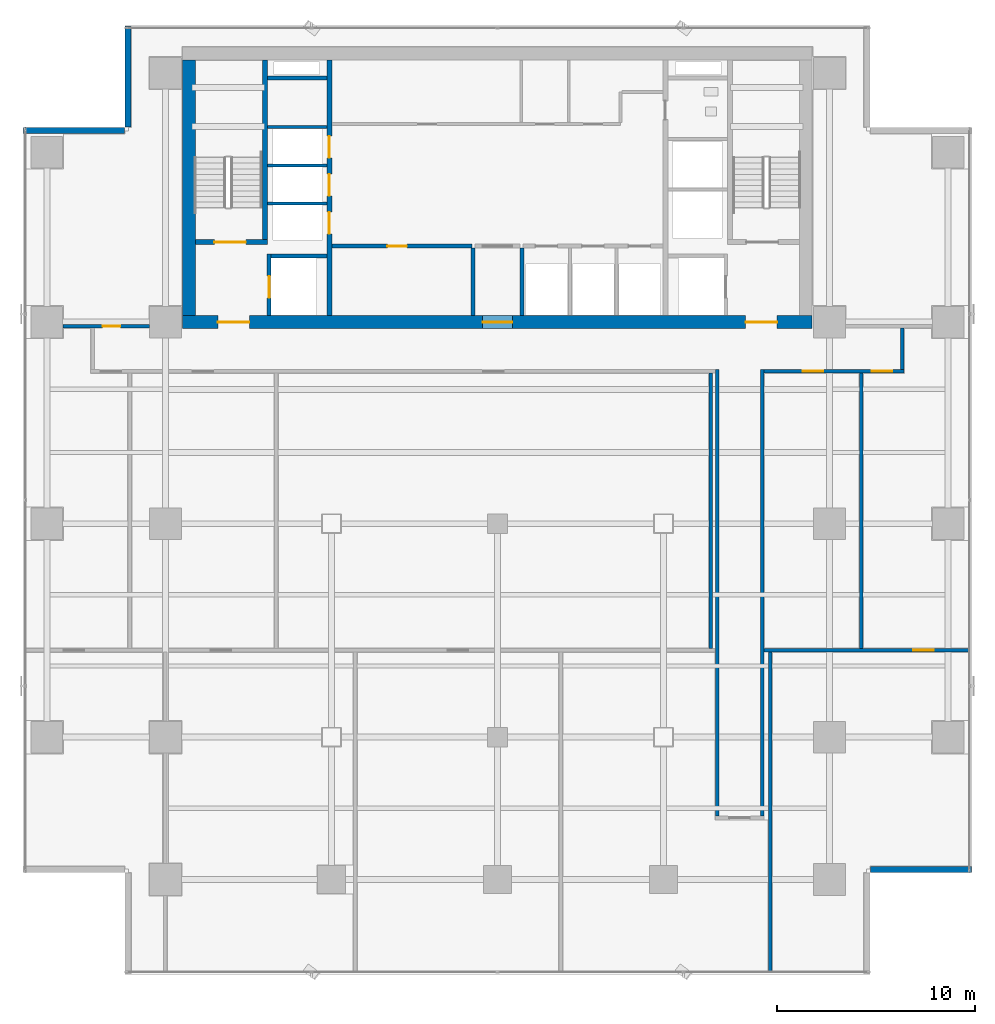
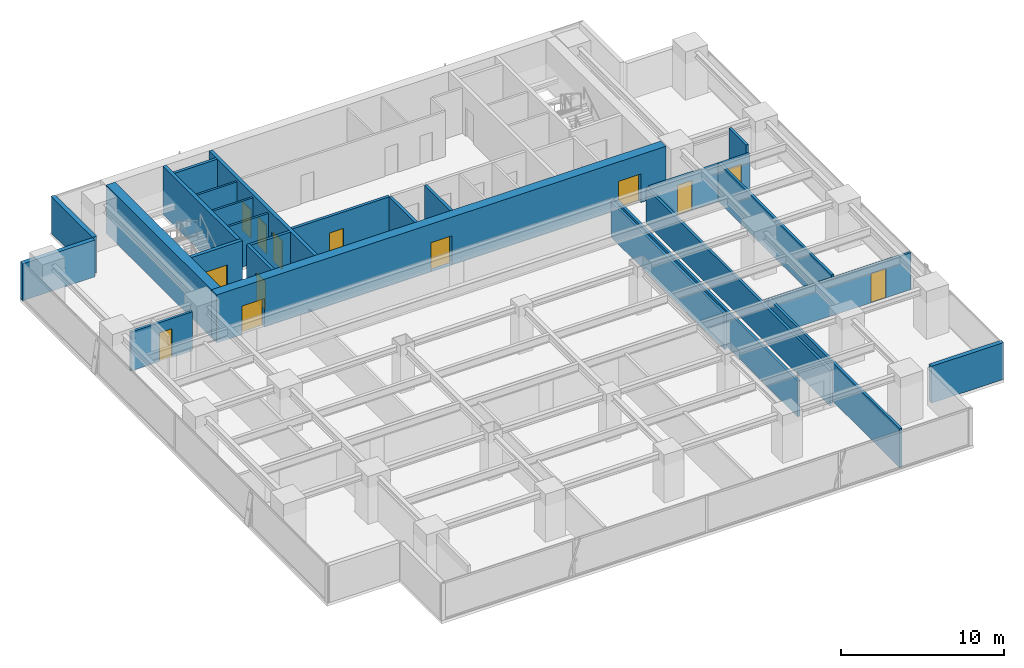
# One storey, part 21 of 28: 26 walls, 13 doors, 13 openings.
"""IFC4 building model written with IfcOpenShell, lengths in metres."""

from ifc_helpers import new_model, si_unit, direction, frame, frame_2d, origin, place, context, subcontext, project, spatial, rectangle, extrude, source, transform, mapped, material, layer, layer_set, type_object, element, fill, save


model = new_model("IFC4")

# Units and contexts
model_context = context("Model", 3, precision=1e-05, world=origin(), true_north=direction((0.0, 1.0)))
body_context = subcontext(model_context, "Body", "Model", "MODEL_VIEW")
ifc_project = project(units=[si_unit("LENGTHUNIT", "METRE"), si_unit("AREAUNIT", "SQUARE_METRE"), si_unit("VOLUMEUNIT", "CUBIC_METRE"), si_unit("PLANEANGLEUNIT", "RADIAN"), si_unit("MASSUNIT", "GRAM", prefix="KILO")], contexts=[model_context])

# Site, building, storey
site_placement = place(None, origin())
site = spatial("IfcSite", under=ifc_project, at=site_placement, CompositionType="ELEMENT")
building_placement = place(site_placement, origin())
building = spatial("IfcBuilding", under=site, at=building_placement, Name="Sumidabori Civic Tower", CompositionType="ELEMENT")
storey_placement = place(building_placement, frame((0.0, 0.0, 174.800048828125)))
storey = spatial("IfcBuildingStorey", under=building, at=storey_placement, Name="L45", CompositionType="ELEMENT", Elevation=174.800048828125)

# Walls
ifc_material_1 = material(Name="Concrete C50/60", Category="concrete")
ifc_layer_1 = layer(ifc_material_1, 0.199951171875, Name="Concrete C50/60")
ifc_layer_set_1 = layer_set([ifc_layer_1], Name="Concrete C50/60")
wall_type_1 = type_object("IfcWallType", Name="WL-SHAFT-200", PredefinedType="SHEAR", material=ifc_layer_set_1)
shared_shape_1 = source(origin(), body_context, "Body", "SweptSolid", [
    extrude(rectangle(XDim=2.824951171875, YDim=0.199951171875, at=frame_2d((1.41259765625, 0.0))), origin(), (0.0, 0.0, 1.0), 3.599853515625),
])
wall_1_placement = place(storey_placement, frame((-11.449951171875, 13.550048828125, 0.0), z_axis=(0.0, 0.0, 1.0), x_axis=(1.0, 0.0, 0.0)))
element("IfcWall", 1, at=wall_1_placement, inside=storey, type_object=wall_type_1, Name="Core Shear Wall L45 EL1-N", PredefinedType="SHEAR", context=body_context, shape_type="MappedRepresentation", body=[
    mapped(shared_shape_1, transform((0.0, 0.0, 0.0), x_axis=(1.0, 0.0, 0.0), y_axis=(0.0, 1.0, 0.0), z_axis=(0.0, 0.0, 1.0), scale=1.0)),
])
shared_shape_2 = source(origin(), body_context, "Body", "SweptSolid", [
    extrude(rectangle(XDim=3.02001953125, YDim=0.199951171875, at=frame_2d((1.510009765625, 0.0))), origin(), (0.0, 0.0, 1.0), 3.599853515625),
])
wall_2_placement = place(storey_placement, frame((-11.64501953125, 22.550048828125, 0.0), z_axis=(0.0, 0.0, 1.0), x_axis=(1.0, 0.0, 0.0)))
element("IfcWall", 2, at=wall_2_placement, inside=storey, type_object=wall_type_1, Name="Core Shear Wall L45 RIS1-S", PredefinedType="SHEAR", context=body_context, shape_type="MappedRepresentation", body=[
    mapped(shared_shape_2, transform((0.0, 0.0, 0.0), x_axis=(1.0, 0.0, 0.0), y_axis=(0.0, 1.0, 0.0), z_axis=(0.0, 0.0, 1.0), scale=1.0)),
])

# Wall, openings, doors
ifc_material_2 = material(Name="Concrete C60/75", Category="concrete")
ifc_layer_2 = layer(ifc_material_2, 0.64990234375, Name="Concrete C60/75")
ifc_layer_set_2 = layer_set([ifc_layer_2], Name="Concrete C60/75")
wall_type_2 = type_object("IfcWallType", Name="WL-CORE-650", PredefinedType="SHEAR", material=ifc_layer_set_2)
shared_shape_3 = source(origin(), body_context, "Body", "SweptSolid", [
    extrude(rectangle(XDim=31.85009765625, YDim=0.64990234375, at=frame_2d((15.925048828125, 0.0))), origin(), (0.0, 0.0, 1.0), 3.599853515625),
])
wall_3_placement = place(storey_placement, frame((-15.925048828125, 10.199951171875, 0.0), z_axis=(0.0, 0.0, 1.0), x_axis=(1.0, 0.0, 0.0)))
wall_3 = element("IfcWall", 3, at=wall_3_placement, inside=storey, type_object=wall_type_2, Name="Core Shear Wall L45 S", PredefinedType="SHEAR", context=body_context, shape_type="MappedRepresentation", body=[
    mapped(shared_shape_3, transform((0.0, 0.0, 0.0), x_axis=(1.0, 0.0, 0.0), y_axis=(0.0, 1.0, 0.0), z_axis=(0.0, 0.0, 1.0), scale=1.0)),
])
opening_1_placement = place(wall_3_placement, frame((1.77490234375, 0.0, 0.0)))
opening_1 = element("IfcOpeningElement", 4, at=opening_1_placement, cuts=wall_3, Name="Opening DR-FD4", PredefinedType="OPENING", context=body_context, shape_type="SweptSolid", body=[
    extrude(rectangle(XDim=1.60009765625, YDim=2.14990234375, at=frame_2d((0.800048828125, 1.074951171875))), frame((0.0, 0.3369140625, 0.0), z_axis=(0.0, -1.0, 0.0), x_axis=(1.0, 0.0, 0.0)), (0.0, 0.0, 1.0), 0.673828125),
])
opening_2_placement = place(wall_3_placement, frame((28.47509765625, 0.0, 0.0)))
opening_2 = element("IfcOpeningElement", 5, at=opening_2_placement, cuts=wall_3, Name="Opening DR-FD4", PredefinedType="OPENING", context=body_context, shape_type="SweptSolid", body=[
    extrude(rectangle(XDim=1.60009765625, YDim=2.14990234375, at=frame_2d((0.800048828125, 1.074951171875))), frame((0.0, 0.3369140625, 0.0), z_axis=(0.0, -1.0, 0.0), x_axis=(1.0, 0.0, 0.0)), (0.0, 0.0, 1.0), 0.673828125),
])
opening_3_placement = place(wall_3_placement, frame((15.175048828125, 0.0, 0.0)))
opening_3 = element("IfcOpeningElement", 6, at=opening_3_placement, cuts=wall_3, Name="Opening DR-FD3", PredefinedType="OPENING", context=body_context, shape_type="SweptSolid", body=[
    extrude(rectangle(XDim=1.5, YDim=2.199951171875, at=frame_2d((0.75, 1.10009765625))), frame((0.0, 0.3369140625, 0.0), z_axis=(0.0, -1.0, 0.0), x_axis=(1.0, 0.0, 0.0)), (0.0, 0.0, 1.0), 0.673828125),
])
ifc_material_3 = material(Name="Steel SN490", Category="steel")
door_type_1 = type_object("IfcDoorType", Name="DR-FD4", OperationType="DOUBLE_DOOR_SINGLE_SWING", PredefinedType="DOOR", material=ifc_material_3)
shared_shape_4 = source(origin(), body_context, "Body", "SweptSolid", [
    extrude(rectangle(XDim=1.60009765625, YDim=2.14990234375, at=frame_2d((0.800048828125, 1.074951171875))), frame((0.0, 0.02490234375, 0.0), z_axis=(0.0, -1.0, 0.0), x_axis=(1.0, 0.0, 0.0)), (0.0, 0.0, 1.0), 0.050048828125),
])
door_1_placement = place(opening_1_placement, origin())
door_1 = element("IfcDoor", 7, at=door_1_placement, inside=storey, type_object=door_type_1, Name="Door DR:L45:ELOB-W", OperationType="DOUBLE_DOOR_SINGLE_SWING", OverallHeight=2.14990234375, OverallWidth=1.60009765625, PredefinedType="DOOR", context=body_context, shape_type="MappedRepresentation", body=[
    mapped(shared_shape_4, transform((0.0, 0.0, 0.0), x_axis=(1.0, 0.0, 0.0), y_axis=(0.0, 1.0, 0.0), z_axis=(0.0, 0.0, 1.0), scale=1.0)),
])
fill(opening_1, door_1)
door_2_placement = place(opening_2_placement, origin())
door_2 = element("IfcDoor", 8, at=door_2_placement, inside=storey, type_object=door_type_1, Name="Door DR:L45:ELOB-E", OperationType="DOUBLE_DOOR_SINGLE_SWING", OverallHeight=2.14990234375, OverallWidth=1.60009765625, PredefinedType="DOOR", context=body_context, shape_type="MappedRepresentation", body=[
    mapped(shared_shape_4, transform((0.0, 0.0, 0.0), x_axis=(1.0, 0.0, 0.0), y_axis=(0.0, 1.0, 0.0), z_axis=(0.0, 0.0, 1.0), scale=1.0)),
])
fill(opening_2, door_2)
door_type_2 = type_object("IfcDoorType", Name="DR-FD-DBL", OperationType="DOUBLE_DOOR_SINGLE_SWING", PredefinedType="DOOR", material=ifc_material_3)
shared_shape_5 = source(origin(), body_context, "Body", "SweptSolid", [
    extrude(rectangle(XDim=1.5, YDim=2.199951171875, at=frame_2d((0.75, 1.10009765625))), frame((0.0, 0.02490234375, 0.0), z_axis=(0.0, -1.0, 0.0), x_axis=(1.0, 0.0, 0.0)), (0.0, 0.0, 1.0), 0.050048828125),
])
door_3_placement = place(opening_3_placement, origin())
door_3 = element("IfcDoor", 9, at=door_3_placement, inside=storey, type_object=door_type_2, Name="Door DR:L45:THROAT-OUT", OperationType="DOUBLE_DOOR_SINGLE_SWING", OverallHeight=2.199951171875, OverallWidth=1.5, PredefinedType="DOOR", context=body_context, shape_type="MappedRepresentation", body=[
    mapped(shared_shape_5, transform((0.0, 0.0, 0.0), x_axis=(1.0, 0.0, 0.0), y_axis=(0.0, 1.0, 0.0), z_axis=(0.0, 0.0, 1.0), scale=1.0)),
])
fill(opening_3, door_3)

# Wall
shared_shape_6 = source(origin(), body_context, "Body", "SweptSolid", [
    extrude(rectangle(XDim=12.9501953125, YDim=0.64990234375, at=frame_2d((6.47509765625, 0.0))), origin(), (0.0, 0.0, 1.0), 3.599853515625),
])
wall_4_placement = place(storey_placement, frame((-15.60009765625, 10.52490234375, 0.0), z_axis=(0.0, 0.0, 1.0), x_axis=(0.0, 1.0, 0.0)))
element("IfcWall", 10, at=wall_4_placement, inside=storey, type_object=wall_type_2, Name="Core Shear Wall L45 W", PredefinedType="SHEAR", context=body_context, shape_type="MappedRepresentation", body=[
    mapped(shared_shape_6, transform((0.0, 0.0, 0.0), x_axis=(1.0, 0.0, 0.0), y_axis=(0.0, 1.0, 0.0), z_axis=(0.0, 0.0, 1.0), scale=1.0)),
])

# Wall, openings, doors
ifc_layer_3 = layer(ifc_material_1, 0.25, Name="Concrete C50/60")
ifc_layer_set_3 = layer_set([ifc_layer_3], Name="Concrete C50/60")
wall_type_3 = type_object("IfcWallType", Name="WL-SHAFT-250", PredefinedType="SHEAR", material=ifc_layer_set_3)
shared_shape_7 = source(origin(), body_context, "Body", "SweptSolid", [
    extrude(rectangle(XDim=12.9501953125, YDim=0.25, at=frame_2d((6.47509765625, 0.0))), origin(), (0.0, 0.0, 1.0), 3.599853515625),
])
wall_5_placement = place(storey_placement, frame((-8.5, 10.52490234375, 0.0), z_axis=(0.0, 0.0, 1.0), x_axis=(0.0, 1.0, 0.0)))
wall_5 = element("IfcWall", 11, at=wall_5_placement, inside=storey, type_object=wall_type_3, Name="Core Shear Wall L45 WEB-W", PredefinedType="SHEAR", context=body_context, shape_type="MappedRepresentation", body=[
    mapped(shared_shape_7, transform((0.0, 0.0, 0.0), x_axis=(1.0, 0.0, 0.0), y_axis=(0.0, 1.0, 0.0), z_axis=(0.0, 0.0, 1.0), scale=1.0)),
])
opening_4_placement = place(wall_5_placement, frame((4.14501953125, 0.0, 0.0)))
opening_4 = element("IfcOpeningElement", 12, at=opening_4_placement, cuts=wall_5, Name="Opening LD-1", PredefinedType="OPENING", context=body_context, shape_type="SweptSolid", body=[
    extrude(rectangle(XDim=1.10009765625, YDim=2.14990234375, at=frame_2d((0.550048828125, 1.074951171875))), frame((0.0, 0.136962890625, 0.0), z_axis=(0.0, -1.0, 0.0), x_axis=(1.0, 0.0, 0.0)), (0.0, 0.0, 1.0), 0.27392578125),
])
opening_5_placement = place(wall_5_placement, frame((6.06494140625, 0.0, 0.0)))
opening_5 = element("IfcOpeningElement", 13, at=opening_5_placement, cuts=wall_5, Name="Opening LD-1", PredefinedType="OPENING", context=body_context, shape_type="SweptSolid", body=[
    extrude(rectangle(XDim=1.10009765625, YDim=2.14990234375, at=frame_2d((0.550048828125, 1.074951171875))), frame((0.0, 0.136962890625, 0.0), z_axis=(0.0, -1.0, 0.0), x_axis=(1.0, 0.0, 0.0)), (0.0, 0.0, 1.0), 0.27392578125),
])
opening_6_placement = place(wall_5_placement, frame((7.985107421875, 0.0, 0.0)))
opening_6 = element("IfcOpeningElement", 14, at=opening_6_placement, cuts=wall_5, Name="Opening LD-1", PredefinedType="OPENING", context=body_context, shape_type="SweptSolid", body=[
    extrude(rectangle(XDim=1.10009765625, YDim=2.14990234375, at=frame_2d((0.550048828125, 1.074951171875))), frame((0.0, 0.136962890625, 0.0), z_axis=(0.0, -1.0, 0.0), x_axis=(1.0, 0.0, 0.0)), (0.0, 0.0, 1.0), 0.27392578125),
])
ifc_material_4 = material(Name="Stainless Steel Hairline Finish", Category="steel")
door_type_3 = type_object("IfcDoorType", Name="DR-LD1", OperationType="DOUBLE_DOOR_SLIDING", PredefinedType="DOOR", material=ifc_material_4)
shared_shape_8 = source(origin(), body_context, "Body", "SweptSolid", [
    extrude(rectangle(XDim=1.10009765625, YDim=2.14990234375, at=frame_2d((0.550048828125, 1.074951171875))), frame((0.0, 0.02490234375, 0.0), z_axis=(0.0, -1.0, 0.0), x_axis=(1.0, 0.0, 0.0)), (0.0, 0.0, 1.0), 0.050048828125),
])
door_4_placement = place(opening_4_placement, origin())
door_4 = element("IfcDoor", 15, at=door_4_placement, inside=storey, type_object=door_type_3, Name="Door DR:L45:LD-PLH1", OperationType="DOUBLE_DOOR_SLIDING", OverallHeight=2.14990234375, OverallWidth=1.10009765625, PredefinedType="DOOR", context=body_context, shape_type="MappedRepresentation", body=[
    mapped(shared_shape_8, transform((0.0, 0.0, 0.0), x_axis=(1.0, 0.0, 0.0), y_axis=(0.0, 1.0, 0.0), z_axis=(0.0, 0.0, 1.0), scale=1.0)),
])
fill(opening_4, door_4)
door_5_placement = place(opening_5_placement, origin())
door_5 = element("IfcDoor", 16, at=door_5_placement, inside=storey, type_object=door_type_3, Name="Door DR:L45:LD-PLH2", OperationType="DOUBLE_DOOR_SLIDING", OverallHeight=2.14990234375, OverallWidth=1.10009765625, PredefinedType="DOOR", context=body_context, shape_type="MappedRepresentation", body=[
    mapped(shared_shape_8, transform((0.0, 0.0, 0.0), x_axis=(1.0, 0.0, 0.0), y_axis=(0.0, 1.0, 0.0), z_axis=(0.0, 0.0, 1.0), scale=1.0)),
])
fill(opening_5, door_5)
door_6_placement = place(opening_6_placement, origin())
door_6 = element("IfcDoor", 17, at=door_6_placement, inside=storey, type_object=door_type_3, Name="Door DR:L45:LD-PLH3", OperationType="DOUBLE_DOOR_SLIDING", OverallHeight=2.14990234375, OverallWidth=1.10009765625, PredefinedType="DOOR", context=body_context, shape_type="MappedRepresentation", body=[
    mapped(shared_shape_8, transform((0.0, 0.0, 0.0), x_axis=(1.0, 0.0, 0.0), y_axis=(0.0, 1.0, 0.0), z_axis=(0.0, 0.0, 1.0), scale=1.0)),
])
fill(opening_6, door_6)

# Wall, opening, door
shared_shape_9 = source(origin(), body_context, "Body", "SweptSolid", [
    extrude(rectangle(XDim=3.6298828125, YDim=0.25, at=frame_2d((1.81494140625, 0.0))), origin(), (0.0, 0.0, 1.0), 3.599853515625),
])
wall_6_placement = place(storey_placement, frame((-15.27490234375, 14.25, 0.0), z_axis=(0.0, 0.0, 1.0), x_axis=(1.0, 0.0, 0.0)))
wall_6 = element("IfcWall", 18, at=wall_6_placement, inside=storey, type_object=wall_type_3, Name="Core Shear Wall L45 ST1-S", PredefinedType="SHEAR", context=body_context, shape_type="MappedRepresentation", body=[
    mapped(shared_shape_9, transform((0.0, 0.0, 0.0), x_axis=(1.0, 0.0, 0.0), y_axis=(0.0, 1.0, 0.0), z_axis=(0.0, 0.0, 1.0), scale=1.0)),
])
opening_7_placement = place(wall_6_placement, frame((0.949951171875, 0.0, 0.0)))
opening_7 = element("IfcOpeningElement", 19, at=opening_7_placement, cuts=wall_6, Name="Opening DR-FD4", PredefinedType="OPENING", context=body_context, shape_type="SweptSolid", body=[
    extrude(rectangle(XDim=1.60009765625, YDim=2.14990234375, at=frame_2d((0.800048828125, 1.074951171875))), frame((0.0, 0.136962890625, 0.0), z_axis=(0.0, -1.0, 0.0), x_axis=(1.0, 0.0, 0.0)), (0.0, 0.0, 1.0), 0.27392578125),
])
door_7_placement = place(opening_7_placement, origin())
door_7 = element("IfcDoor", 20, at=door_7_placement, inside=storey, type_object=door_type_1, Name="Door DR:L45:ST1", OperationType="DOUBLE_DOOR_SINGLE_SWING", OverallHeight=2.14990234375, OverallWidth=1.60009765625, PredefinedType="DOOR", context=body_context, shape_type="MappedRepresentation", body=[
    mapped(shared_shape_4, transform((0.0, 0.0, 0.0), x_axis=(1.0, 0.0, 0.0), y_axis=(0.0, 1.0, 0.0), z_axis=(0.0, 0.0, 1.0), scale=1.0)),
])
fill(opening_7, door_7)

# Wall
shared_shape_10 = source(origin(), body_context, "Body", "SweptSolid", [
    extrude(rectangle(XDim=9.10009765625, YDim=0.25, at=frame_2d((4.550048828125, 0.0))), origin(), (0.0, 0.0, 1.0), 3.599853515625),
])
wall_7_placement = place(storey_placement, frame((-11.77001953125, 14.375, 0.0), z_axis=(0.0, 0.0, 1.0), x_axis=(0.0, 1.0, 0.0)))
element("IfcWall", 21, at=wall_7_placement, inside=storey, type_object=wall_type_3, Name="Core Shear Wall L45 ST1-E", PredefinedType="SHEAR", context=body_context, shape_type="MappedRepresentation", body=[
    mapped(shared_shape_10, transform((0.0, 0.0, 0.0), x_axis=(1.0, 0.0, 0.0), y_axis=(0.0, 1.0, 0.0), z_axis=(0.0, 0.0, 1.0), scale=1.0)),
])

# Wall, opening, door
shared_shape_11 = source(origin(), body_context, "Body", "SweptSolid", [
    extrude(rectangle(XDim=3.125, YDim=0.199951171875, at=frame_2d((1.5625, 0.0))), origin(), (0.0, 0.0, 1.0), 3.599853515625),
])
wall_8_placement = place(storey_placement, frame((-11.550048828125, 10.52490234375, 0.0), z_axis=(0.0, 0.0, 1.0), x_axis=(0.0, 1.0, 0.0)))
wall_8 = element("IfcWall", 22, at=wall_8_placement, inside=storey, type_object=wall_type_1, Name="Core Shear Wall L45 EL1-W", PredefinedType="SHEAR", context=body_context, shape_type="MappedRepresentation", body=[
    mapped(shared_shape_11, transform((0.0, 0.0, 0.0), x_axis=(1.0, 0.0, 0.0), y_axis=(0.0, 1.0, 0.0), z_axis=(0.0, 0.0, 1.0), scale=1.0)),
])
opening_8_placement = place(wall_8_placement, frame((0.89990234375, 0.0, 0.0)))
opening_8 = element("IfcOpeningElement", 23, at=opening_8_placement, cuts=wall_8, Name="Opening LD-2", PredefinedType="OPENING", context=body_context, shape_type="SweptSolid", body=[
    extrude(rectangle(XDim=1.10009765625, YDim=2.14990234375, at=frame_2d((0.550048828125, 1.074951171875))), frame((0.0, 0.11181640625, 0.0), z_axis=(0.0, -1.0, 0.0), x_axis=(1.0, 0.0, 0.0)), (0.0, 0.0, 1.0), 0.223876953125),
])
door_type_4 = type_object("IfcDoorType", Name="DR-LD2", OperationType="DOUBLE_DOOR_SLIDING", PredefinedType="DOOR", material=ifc_material_4)
door_8_placement = place(opening_8_placement, origin())
door_8 = element("IfcDoor", 24, at=door_8_placement, inside=storey, type_object=door_type_4, Name="Door DR:L45:LD-EL1", OperationType="DOUBLE_DOOR_SLIDING", OverallHeight=2.14990234375, OverallWidth=1.10009765625, PredefinedType="DOOR", context=body_context, shape_type="MappedRepresentation", body=[
    mapped(shared_shape_8, transform((0.0, 0.0, 0.0), x_axis=(1.0, 0.0, 0.0), y_axis=(0.0, 1.0, 0.0), z_axis=(0.0, 0.0, 1.0), scale=1.0)),
])
fill(opening_8, door_8)

# Walls
ifc_material_5 = material(Name="Precast concrete C40/50", Category="concrete")
ifc_layer_4 = layer(ifc_material_5, 0.300048828125, Name="Precast concrete C40/50")
ifc_layer_set_4 = layer_set([ifc_layer_4], Name="Precast concrete C40/50")
wall_type_4 = type_object("IfcWallType", Name="WL-EXT-POD300", PredefinedType="STANDARD", material=ifc_layer_set_4)
shared_shape_12 = source(origin(), body_context, "Body", "SweptSolid", [
    extrude(rectangle(XDim=5.10986328125, YDim=0.300048828125, at=frame_2d((2.554931640625, 0.0))), origin(), (0.0, 0.0, 1.0), 2.760009765625),
])
for number, where, z_axis, x_axis, name in (
    (25, (18.8701171875, -17.5, 0.0), (0.0, 0.0, 1.0), (1.0, 0.0, 0.0), "Notched Corner Spandrel Band L45-03"),
    (26, (-18.699951171875, 25.179931640625, 0.0), (0.0, 0.0, 1.0), (0.0, -1.0, 0.0), "Notched Corner Spandrel Band L45-08"),
    (27, (-18.8701171875, 19.89990234375, 0.0), (0.0, 0.0, 1.0), (-1.0, 0.0, 0.0), "Notched Corner Spandrel Band L45-09"),
):
    element("IfcWall", number, at=place(storey_placement, frame(where, z_axis=z_axis, x_axis=x_axis)), inside=storey, type_object=wall_type_4, Name=name, PredefinedType="STANDARD", context=body_context, shape_type="MappedRepresentation", body=[
        mapped(shared_shape_12, transform((0.0, 0.0, 0.0), x_axis=(1.0, 0.0, 0.0), y_axis=(0.0, 1.0, 0.0), z_axis=(0.0, 0.0, 1.0), scale=1.0)),
    ])
ifc_material_6 = material(Name="Gypsum Plasterboard Acoustic Partition")
ifc_layer_5 = layer(ifc_material_6, 0.14990234375, Name="Gypsum Plasterboard Acoustic Partition")
ifc_layer_set_5 = layer_set([ifc_layer_5], Name="Gypsum Plasterboard Acoustic Partition")
wall_type_5 = type_object("IfcWallType", Name="WL-PART-150", PredefinedType="PARTITIONING", material=ifc_layer_set_5)
shared_shape_13 = source(origin(), body_context, "Body", "SweptSolid", [
    extrude(rectangle(XDim=3.010009765625, YDim=0.14990234375, at=frame_2d((1.5048828125, 0.0))), origin(), (0.0, 0.0, 1.0), 3.3798828125),
])
for number, where, z_axis, x_axis, name in (
    (28, (-11.639892578125, 16.199951171875, 0.0), (0.0, 0.0, 1.0), (1.0, 0.0, 0.0), "Interior Partition WL:L45:DIV-PLH1"),
    (29, (-11.639892578125, 18.1201171875, 0.0), (0.0, 0.0, 1.0), (1.0, 0.0, 0.0), "Interior Partition WL:L45:DIV-PLH2"),
    (30, (-11.639892578125, 20.080078125, 0.0), (0.0, 0.0, 1.0), (1.0, 0.0, 0.0), "Interior Partition WL:L45:DIV-PLH3"),
):
    element("IfcWall", number, at=place(storey_placement, frame(where, z_axis=z_axis, x_axis=x_axis)), inside=storey, type_object=wall_type_5, Name=name, PredefinedType="PARTITIONING", context=body_context, shape_type="MappedRepresentation", body=[
        mapped(shared_shape_13, transform((0.0, 0.0, 0.0), x_axis=(1.0, 0.0, 0.0), y_axis=(0.0, 1.0, 0.0), z_axis=(0.0, 0.0, 1.0), scale=1.0)),
    ])

# Wall, opening, door
ifc_material_7 = material(Name="Gypsum Plasterboard Fire Partition")
ifc_layer_6 = layer(ifc_material_7, 0.199951171875, Name="Gypsum Plasterboard Fire Partition")
ifc_layer_set_6 = layer_set([ifc_layer_6], Name="Gypsum Plasterboard Fire Partition")
wall_type_6 = type_object("IfcWallType", Name="WL-PART-FIRE", PredefinedType="PARTITIONING", material=ifc_layer_set_6)
shared_shape_14 = source(origin(), body_context, "Body", "SweptSolid", [
    extrude(rectangle(XDim=7.070068359375, YDim=0.199951171875, at=frame_2d((3.53515625, 0.0))), origin(), (0.0, 0.0, 1.0), 3.3798828125),
])
wall_9_placement = place(storey_placement, frame((-8.3701171875, 14.050048828125, 0.0), z_axis=(0.0, 0.0, 1.0), x_axis=(1.0, 0.0, 0.0)))
wall_9 = element("IfcWall", 31, at=wall_9_placement, inside=storey, type_object=wall_type_6, Name="Interior Partition WL:L45:CBAND-SW", PredefinedType="PARTITIONING", context=body_context, shape_type="MappedRepresentation", body=[
    mapped(shared_shape_14, transform((0.0, 0.0, 0.0), x_axis=(1.0, 0.0, 0.0), y_axis=(0.0, 1.0, 0.0), z_axis=(0.0, 0.0, 1.0), scale=1.0)),
])
opening_9_placement = place(wall_9_placement, frame((2.800048828125, 0.0, 0.0)))
opening_9 = element("IfcOpeningElement", 32, at=opening_9_placement, cuts=wall_9, Name="Opening DR-3", PredefinedType="OPENING", context=body_context, shape_type="SweptSolid", body=[
    extrude(rectangle(XDim=0.97998046875, YDim=2.14990234375, at=frame_2d((0.489990234375, 1.074951171875))), frame((0.0, 0.11181640625, 0.0), z_axis=(0.0, -1.0, 0.0), x_axis=(1.0, 0.0, 0.0)), (0.0, 0.0, 1.0), 0.223876953125),
])
ifc_material_8 = material(Name="Japanese Hinoki Timber", Category="wood")
door_type_5 = type_object("IfcDoorType", Name="DR-INT-980", OperationType="NOTDEFINED", PredefinedType="DOOR", material=ifc_material_8)
shared_shape_15 = source(origin(), body_context, "Body", "SweptSolid", [
    extrude(rectangle(XDim=0.97998046875, YDim=2.14990234375, at=frame_2d((0.489990234375, 1.074951171875))), frame((0.0, 0.02490234375, 0.0), z_axis=(0.0, -1.0, 0.0), x_axis=(1.0, 0.0, 0.0)), (0.0, 0.0, 1.0), 0.050048828125),
])
door_9_placement = place(opening_9_placement, origin())
door_9 = element("IfcDoor", 33, at=door_9_placement, inside=storey, type_object=door_type_5, Name="Door DR:L45:REC-B1", OperationType="SINGLE_SWING_LEFT", OverallHeight=2.14990234375, OverallWidth=0.97998046875, PredefinedType="DOOR", context=body_context, shape_type="MappedRepresentation", body=[
    mapped(shared_shape_15, transform((0.0, 0.0, 0.0), x_axis=(1.0, 0.0, 0.0), y_axis=(0.0, 1.0, 0.0), z_axis=(0.0, 0.0, 1.0), scale=1.0)),
])
fill(opening_9, door_9)

# Walls
shared_shape_16 = source(origin(), body_context, "Body", "SweptSolid", [
    extrude(rectangle(XDim=3.4150390625, YDim=0.199951171875, at=frame_2d((1.70751953125, 0.0))), origin(), (0.0, 0.0, 1.0), 3.3798828125),
])
for number, where, z_axis, x_axis, name in (
    (34, (-1.25, 10.52490234375, 0.0), (0.0, 0.0, 1.0), (0.0, 1.0, 0.0), "Interior Partition WL:L45:THROAT-W"),
    (35, (1.25, 10.52490234375, 0.0), (0.0, 0.0, 1.0), (0.0, 1.0, 0.0), "Interior Partition WL:L45:THROAT-E"),
):
    element("IfcWall", number, at=place(storey_placement, frame(where, z_axis=z_axis, x_axis=x_axis)), inside=storey, type_object=wall_type_6, Name=name, PredefinedType="PARTITIONING", context=body_context, shape_type="MappedRepresentation", body=[
        mapped(shared_shape_16, transform((0.0, 0.0, 0.0), x_axis=(1.0, 0.0, 0.0), y_axis=(0.0, 1.0, 0.0), z_axis=(0.0, 0.0, 1.0), scale=1.0)),
    ])

# Wall, openings, doors
ifc_layer_7 = layer(ifc_material_6, 0.179931640625, Name="Gypsum Plasterboard Acoustic Partition")
ifc_layer_set_7 = layer_set([ifc_layer_7], Name="Gypsum Plasterboard Acoustic Partition")
wall_type_7 = type_object("IfcWallType", Name="WL-PART-180", PredefinedType="PARTITIONING", material=ifc_layer_set_7)
shared_shape_17 = source(origin(), body_context, "Body", "SweptSolid", [
    extrude(rectangle(XDim=7.10009765625, YDim=0.179931640625, at=frame_2d((3.550048828125, 0.0))), origin(), (0.0, 0.0, 1.0), 2.764892578125),
])
wall_10_placement = place(storey_placement, frame((13.47998046875, 7.7099609375, 0.0), z_axis=(0.0, 0.0, 1.0), x_axis=(1.0, 0.0, 0.0)))
wall_10 = element("IfcWall", 36, at=wall_10_placement, inside=storey, type_object=wall_type_7, Name="Interior Partition WL:L45:CORR-SE", PredefinedType="PARTITIONING", context=body_context, shape_type="MappedRepresentation", body=[
    mapped(shared_shape_17, transform((0.0, 0.0, 0.0), x_axis=(1.0, 0.0, 0.0), y_axis=(0.0, 1.0, 0.0), z_axis=(0.0, 0.0, 1.0), scale=1.0)),
])
opening_10_placement = place(wall_10_placement, frame((5.465087890625, 0.0, 0.0)))
opening_10 = element("IfcOpeningElement", 37, at=opening_10_placement, cuts=wall_10, Name="Opening DR-4", PredefinedType="OPENING", context=body_context, shape_type="SweptSolid", body=[
    extrude(rectangle(XDim=1.0400390625, YDim=2.199951171875, at=frame_2d((0.52001953125, 1.10009765625))), frame((0.0, 0.10205078125, 0.0), z_axis=(0.0, -1.0, 0.0), x_axis=(1.0, 0.0, 0.0)), (0.0, 0.0, 1.0), 0.203857421875),
])
opening_11_placement = place(wall_10_placement, frame((1.955078125, 0.0, 0.0)))
opening_11 = element("IfcOpeningElement", 38, at=opening_11_placement, cuts=wall_10, Name="Opening DR-4", PredefinedType="OPENING", context=body_context, shape_type="SweptSolid", body=[
    extrude(rectangle(XDim=1.0400390625, YDim=2.199951171875, at=frame_2d((0.52001953125, 1.10009765625))), frame((0.0, 0.10205078125, 0.0), z_axis=(0.0, -1.0, 0.0), x_axis=(1.0, 0.0, 0.0)), (0.0, 0.0, 1.0), 0.203857421875),
])
door_type_6 = type_object("IfcDoorType", Name="DR-INT-1040", OperationType="NOTDEFINED", PredefinedType="DOOR", material=ifc_material_8)
shared_shape_18 = source(origin(), body_context, "Body", "SweptSolid", [
    extrude(rectangle(XDim=1.0400390625, YDim=2.199951171875, at=frame_2d((0.52001953125, 1.10009765625))), frame((0.0, 0.02490234375, 0.0), z_axis=(0.0, -1.0, 0.0), x_axis=(1.0, 0.0, 0.0)), (0.0, 0.0, 1.0), 0.050048828125),
])
door_10_placement = place(opening_10_placement, origin())
door_10 = element("IfcDoor", 39, at=door_10_placement, inside=storey, type_object=door_type_6, Name="Door DR:L45:D03", OperationType="SINGLE_SWING_LEFT", OverallHeight=2.199951171875, OverallWidth=1.0400390625, PredefinedType="DOOR", context=body_context, shape_type="MappedRepresentation", body=[
    mapped(shared_shape_18, transform((0.0, 0.0, 0.0), x_axis=(1.0, 0.0, 0.0), y_axis=(0.0, 1.0, 0.0), z_axis=(0.0, 0.0, 1.0), scale=1.0)),
])
fill(opening_10, door_10)
door_11_placement = place(opening_11_placement, origin())
door_11 = element("IfcDoor", 40, at=door_11_placement, inside=storey, type_object=door_type_6, Name="Door DR:L45:D06", OperationType="SINGLE_SWING_RIGHT", OverallHeight=2.199951171875, OverallWidth=1.0400390625, PredefinedType="DOOR", context=body_context, shape_type="MappedRepresentation", body=[
    mapped(shared_shape_18, transform((0.0, 0.0, 0.0), x_axis=(1.0, 0.0, 0.0), y_axis=(0.0, 1.0, 0.0), z_axis=(0.0, 0.0, 1.0), scale=1.0)),
])
fill(opening_11, door_11)

# Wall
shared_shape_19 = source(origin(), body_context, "Body", "SweptSolid", [
    extrude(rectangle(XDim=2.10009765625, YDim=0.179931640625, at=frame_2d((1.050048828125, 0.0))), origin(), (0.0, 0.0, 1.0), 3.3798828125),
])
wall_11_placement = place(storey_placement, frame((20.489990234375, 7.804931640625, 0.0), z_axis=(0.0, 0.0, 1.0), x_axis=(0.0, 1.0, 0.0)))
element("IfcWall", 41, at=wall_11_placement, inside=storey, type_object=wall_type_7, Name="Interior Partition WL:L45:CORR-VNE", PredefinedType="PARTITIONING", context=body_context, shape_type="MappedRepresentation", body=[
    mapped(shared_shape_19, transform((0.0, 0.0, 0.0), x_axis=(1.0, 0.0, 0.0), y_axis=(0.0, 1.0, 0.0), z_axis=(0.0, 0.0, 1.0), scale=1.0)),
])

# Wall, opening, door
shared_shape_20 = source(origin(), body_context, "Body", "SweptSolid", [
    extrude(rectangle(XDim=10.364990234375, YDim=0.179931640625, at=frame_2d((5.1826171875, 0.0))), origin(), (0.0, 0.0, 1.0), 2.764892578125),
])
wall_12_placement = place(storey_placement, frame((13.485107421875, -6.39990234375, 0.0), z_axis=(0.0, 0.0, 1.0), x_axis=(1.0, 0.0, 0.0)))
wall_12 = element("IfcWall", 42, at=wall_12_placement, inside=storey, type_object=wall_type_7, Name="Interior Partition WL:L45:BAND-Y-2", PredefinedType="PARTITIONING", context=body_context, shape_type="MappedRepresentation", body=[
    mapped(shared_shape_20, transform((0.0, 0.0, 0.0), x_axis=(1.0, 0.0, 0.0), y_axis=(0.0, 1.0, 0.0), z_axis=(0.0, 0.0, 1.0), scale=1.0)),
])
opening_12_placement = place(wall_12_placement, frame((7.544921875, 0.0, 0.0)))
opening_12 = element("IfcOpeningElement", 43, at=opening_12_placement, cuts=wall_12, Name="Opening DR-4", PredefinedType="OPENING", context=body_context, shape_type="SweptSolid", body=[
    extrude(rectangle(XDim=1.0400390625, YDim=2.199951171875, at=frame_2d((0.52001953125, 1.10009765625))), frame((0.0, 0.10205078125, 0.0), z_axis=(0.0, -1.0, 0.0), x_axis=(1.0, 0.0, 0.0)), (0.0, 0.0, 1.0), 0.203857421875),
])
door_12_placement = place(opening_12_placement, origin())
door_12 = element("IfcDoor", 44, at=door_12_placement, inside=storey, type_object=door_type_6, Name="Door DR:L45:D09", OperationType="SINGLE_SWING_LEFT", OverallHeight=2.199951171875, OverallWidth=1.0400390625, PredefinedType="DOOR", context=body_context, shape_type="MappedRepresentation", body=[
    mapped(shared_shape_18, transform((0.0, 0.0, 0.0), x_axis=(1.0, 0.0, 0.0), y_axis=(0.0, 1.0, 0.0), z_axis=(0.0, 0.0, 1.0), scale=1.0)),
])
fill(opening_12, door_12)

shared_shape_21 = source(origin(), body_context, "Body", "SweptSolid", [
    extrude(rectangle(XDim=4.3798828125, YDim=0.179931640625, at=frame_2d((2.18994140625, 0.0))), origin(), (0.0, 0.0, 1.0), 2.9150390625),
])
wall_13_placement = place(storey_placement, frame((-21.989990234375, 10.0, 0.0), z_axis=(0.0, 0.0, 1.0), x_axis=(1.0, 0.0, 0.0)))
wall_13 = element("IfcWall", 45, at=wall_13_placement, inside=storey, type_object=wall_type_7, Name="Interior Partition WL:L45:FLK-NW", PredefinedType="PARTITIONING", context=body_context, shape_type="MappedRepresentation", body=[
    mapped(shared_shape_21, transform((0.0, 0.0, 0.0), x_axis=(1.0, 0.0, 0.0), y_axis=(0.0, 1.0, 0.0), z_axis=(0.0, 0.0, 1.0), scale=1.0)),
])
opening_13_placement = place(wall_13_placement, frame((2.014892578125, 0.0, 0.0)))
opening_13 = element("IfcOpeningElement", 46, at=opening_13_placement, cuts=wall_13, Name="Opening DR-1", PredefinedType="OPENING", context=body_context, shape_type="SweptSolid", body=[
    extrude(rectangle(XDim=0.89990234375, YDim=2.14990234375, at=frame_2d((0.449951171875, 1.074951171875))), frame((0.0, 0.10205078125, 0.0), z_axis=(0.0, -1.0, 0.0), x_axis=(1.0, 0.0, 0.0)), (0.0, 0.0, 1.0), 0.203857421875),
])
door_type_7 = type_object("IfcDoorType", Name="DR-INT-900", OperationType="NOTDEFINED", PredefinedType="DOOR", material=ifc_material_8)
shared_shape_22 = source(origin(), body_context, "Body", "SweptSolid", [
    extrude(rectangle(XDim=0.89990234375, YDim=2.14990234375, at=frame_2d((0.449951171875, 1.074951171875))), frame((0.0, 0.02490234375, 0.0), z_axis=(0.0, -1.0, 0.0), x_axis=(1.0, 0.0, 0.0)), (0.0, 0.0, 1.0), 0.050048828125),
])
door_13_placement = place(opening_13_placement, origin())
door_13 = element("IfcDoor", 47, at=door_13_placement, inside=storey, type_object=door_type_7, Name="Door DR:L45:FLK-NW", OperationType="SINGLE_SWING_LEFT", OverallHeight=2.14990234375, OverallWidth=0.89990234375, PredefinedType="DOOR", context=body_context, shape_type="MappedRepresentation", body=[
    mapped(shared_shape_22, transform((0.0, 0.0, 0.0), x_axis=(1.0, 0.0, 0.0), y_axis=(0.0, 1.0, 0.0), z_axis=(0.0, 0.0, 1.0), scale=1.0)),
])
fill(opening_13, door_13)

# Walls
shared_shape_23 = source(origin(), body_context, "Body", "SweptSolid", [
    extrude(rectangle(XDim=22.594970703125, YDim=0.179931640625, at=frame_2d((11.29736328125, 0.0))), origin(), (0.0, 0.0, 1.0), 2.6650390625),
])
for number, where, z_axis, x_axis, name in (
    (48, (11.110107421875, -14.794921875, 0.0), (0.0, 0.0, 1.0), (0.0, 1.0, 0.0), "Interior Partition WL:L45:CORR-VL-W"),
    (49, (13.389892578125, -14.794921875, 0.0), (0.0, 0.0, 1.0), (0.0, 1.0, 0.0), "Interior Partition WL:L45:CORR-VL-E"),
):
    element("IfcWall", number, at=place(storey_placement, frame(where, z_axis=z_axis, x_axis=x_axis)), inside=storey, type_object=wall_type_7, Name=name, PredefinedType="PARTITIONING", context=body_context, shape_type="MappedRepresentation", body=[
        mapped(shared_shape_23, transform((0.0, 0.0, 0.0), x_axis=(1.0, 0.0, 0.0), y_axis=(0.0, 1.0, 0.0), z_axis=(0.0, 0.0, 1.0), scale=1.0)),
    ])
shared_shape_24 = source(origin(), body_context, "Body", "SweptSolid", [
    extrude(rectangle(XDim=13.919921875, YDim=0.179931640625, at=frame_2d((6.9599609375, 0.0))), origin(), (0.0, 0.0, 1.0), 2.9150390625),
])
wall_14_placement = place(storey_placement, frame((18.39990234375, -6.304931640625, 0.0), z_axis=(0.0, 0.0, 1.0), x_axis=(0.0, 1.0, 0.0)))
element("IfcWall", 50, at=wall_14_placement, inside=storey, type_object=wall_type_7, Name="Interior Partition WL:L45:VX-N4", PredefinedType="PARTITIONING", context=body_context, shape_type="MappedRepresentation", body=[
    mapped(shared_shape_24, transform((0.0, 0.0, 0.0), x_axis=(1.0, 0.0, 0.0), y_axis=(0.0, 1.0, 0.0), z_axis=(0.0, 0.0, 1.0), scale=1.0)),
])
shared_shape_25 = source(origin(), body_context, "Body", "SweptSolid", [
    extrude(rectangle(XDim=13.919921875, YDim=0.179931640625, at=frame_2d((6.9599609375, 0.0))), origin(), (0.0, 0.0, 1.0), 2.6650390625),
])
wall_15_placement = place(storey_placement, frame((10.800048828125, -6.304931640625, 0.0), z_axis=(0.0, 0.0, 1.0), x_axis=(0.0, 1.0, 0.0)))
element("IfcWall", 51, at=wall_15_placement, inside=storey, type_object=wall_type_7, Name="Interior Partition WL:L45:VX-N3", PredefinedType="PARTITIONING", context=body_context, shape_type="MappedRepresentation", body=[
    mapped(shared_shape_25, transform((0.0, 0.0, 0.0), x_axis=(1.0, 0.0, 0.0), y_axis=(0.0, 1.0, 0.0), z_axis=(0.0, 0.0, 1.0), scale=1.0)),
])
shared_shape_26 = source(origin(), body_context, "Body", "SweptSolid", [
    extrude(rectangle(XDim=16.15478515625, YDim=0.179931640625, at=frame_2d((8.077392578125, 0.0))), origin(), (0.0, 0.0, 1.0), 2.9150390625),
])
wall_16_placement = place(storey_placement, frame((13.800048828125, -22.64990234375, 0.0), z_axis=(0.0, 0.0, 1.0), x_axis=(0.0, 1.0, 0.0)))
element("IfcWall", 52, at=wall_16_placement, inside=storey, type_object=wall_type_7, Name="Interior Partition WL:L45:VX-S4", PredefinedType="PARTITIONING", context=body_context, shape_type="MappedRepresentation", body=[
    mapped(shared_shape_26, transform((0.0, 0.0, 0.0), x_axis=(1.0, 0.0, 0.0), y_axis=(0.0, 1.0, 0.0), z_axis=(0.0, 0.0, 1.0), scale=1.0)),
])

save(model, "model.ifc")
